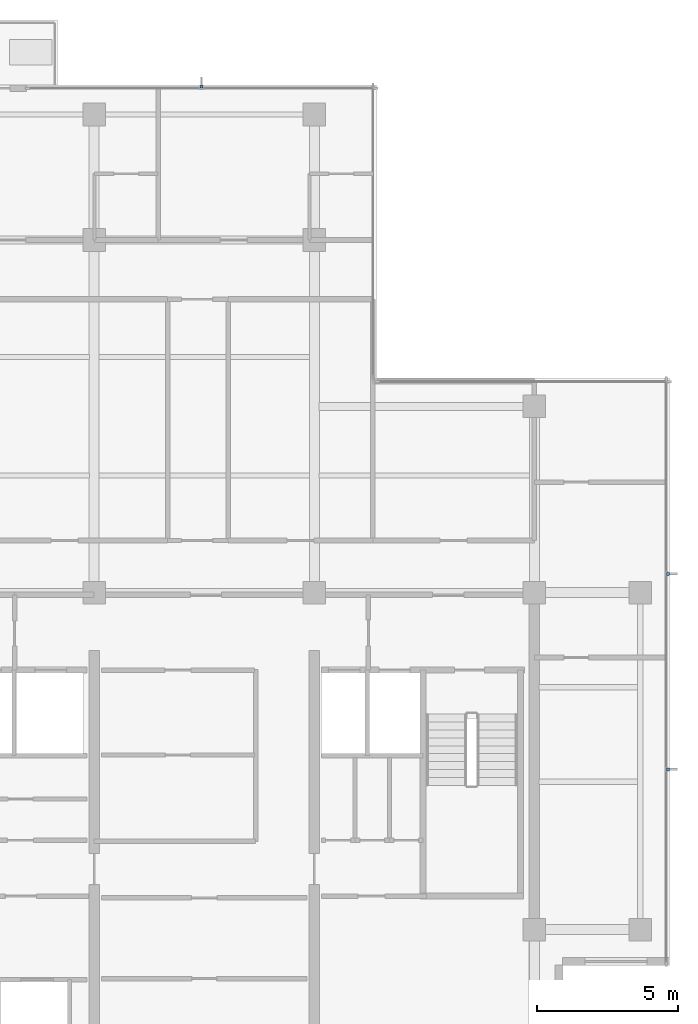
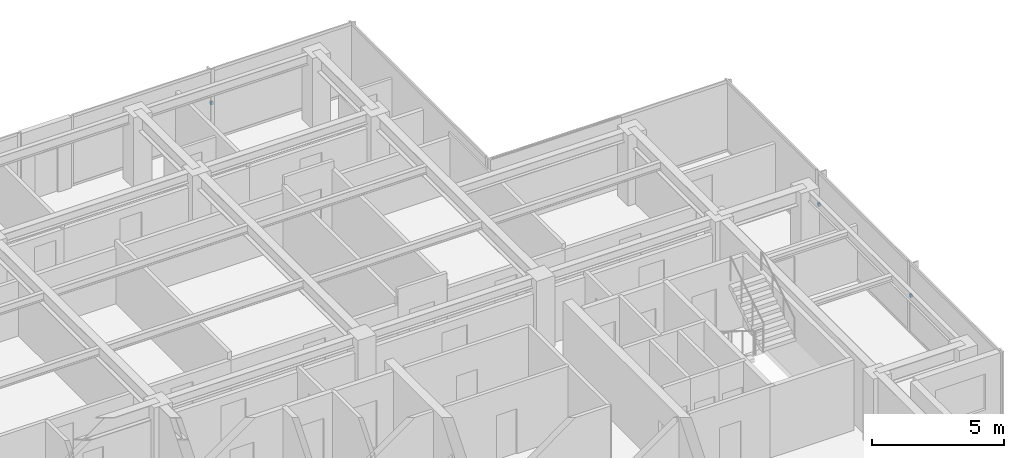
# One storey, part 10 of 11: 3 discrete accessories.
"""IFC4 building model written with IfcOpenShell, lengths in metres."""

from ifc_helpers import new_model, si_unit, direction, frame, origin, place, context, subcontext, project, spatial, polyline, outline, extrude, material, type_object, element, save


model = new_model("IFC4")

# Units and contexts
model_context = context("Model", 3, precision=1e-05, world=origin(), true_north=direction((0.0, 1.0)))
body_context = subcontext(model_context, "Body", "Model", "MODEL_VIEW")
ifc_project = project(units=[si_unit("LENGTHUNIT", "METRE"), si_unit("AREAUNIT", "SQUARE_METRE"), si_unit("VOLUMEUNIT", "CUBIC_METRE"), si_unit("PLANEANGLEUNIT", "RADIAN"), si_unit("MASSUNIT", "GRAM", prefix="KILO")], contexts=[model_context])

# Site, building, storey
site_placement = place(None, origin())
site = spatial("IfcSite", under=ifc_project, at=site_placement, CompositionType="ELEMENT")
building_placement = place(site_placement, origin())
building = spatial("IfcBuilding", under=site, at=building_placement, Name="Qalmaran Belvedere Hotel", CompositionType="ELEMENT")
storey_placement = place(building_placement, frame((0.0, 0.0, 245.89990234375)))
storey = spatial("IfcBuildingStorey", under=building, at=storey_placement, Name="L63", CompositionType="ELEMENT", Elevation=245.89990234375)

# Discrete accessories
ifc_material = material(Name="Stainless Steel 1.4401", Category="steel")
discrete_accessory_type = type_object("IfcDiscreteAccessoryType", Name="BRK-FIN-SS316", PredefinedType="BRACKET", material=ifc_material)
discrete_accessory_1_placement = place(storey_placement, frame((0.0, 0.0, 1.580078125)))
element("IfcDiscreteAccessory", 1, at=discrete_accessory_1_placement, inside=storey, type_object=discrete_accessory_type, Name="L63 Fin Bracket 1", PredefinedType="BRACKET", context=body_context, shape_type="SweptSolid", body=[
    extrude(outline(polyline([(49.4951171875, 14.17822265625), (49.58740234375, 14.17822265625), (49.58740234375, 14.288330078125), (49.4951171875, 14.288330078125), (49.4951171875, 14.17822265625)])), origin(), (0.0, 0.0, 1.0), 0.14013671875),
])
discrete_accessory_2_placement = place(storey_placement, frame((0.0, 0.0, 1.580078125)))
element("IfcDiscreteAccessory", 2, at=discrete_accessory_2_placement, inside=storey, type_object=discrete_accessory_type, Name="L63 Fin Bracket 2", PredefinedType="BRACKET", context=body_context, shape_type="SweptSolid", body=[
    extrude(outline(polyline([(49.4951171875, 21.11181640625), (49.58740234375, 21.11181640625), (49.58740234375, 21.2216796875), (49.4951171875, 21.2216796875), (49.4951171875, 21.11181640625)])), origin(), (0.0, 0.0, 1.0), 0.14013671875),
])
discrete_accessory_3_placement = place(storey_placement, frame((0.0, 0.0, 1.580078125)))
element("IfcDiscreteAccessory", 3, at=discrete_accessory_3_placement, inside=storey, type_object=discrete_accessory_type, Name="L63 Fin Bracket 1", PredefinedType="BRACKET", context=body_context, shape_type="SweptSolid", body=[
    extrude(outline(polyline([(33.054931640625, 38.39501953125), (33.054931640625, 38.487548828125), (32.945068359375, 38.487548828125), (32.945068359375, 38.39501953125), (33.054931640625, 38.39501953125)])), origin(), (0.0, 0.0, 1.0), 0.14013671875),
])

save(model, "model.ifc")
